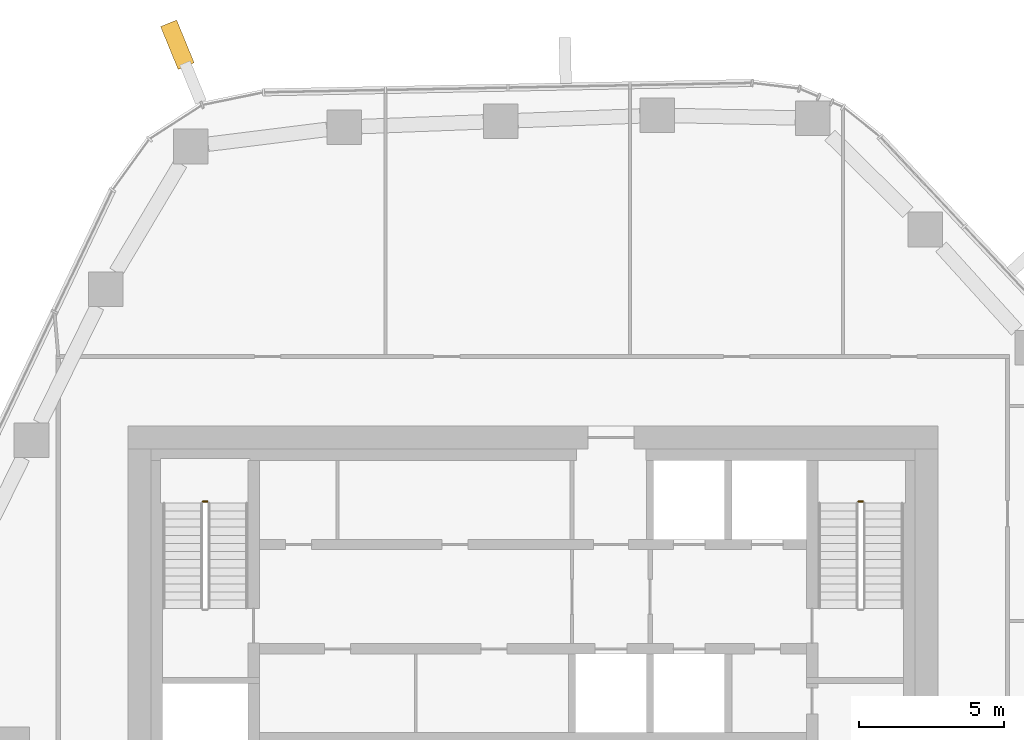
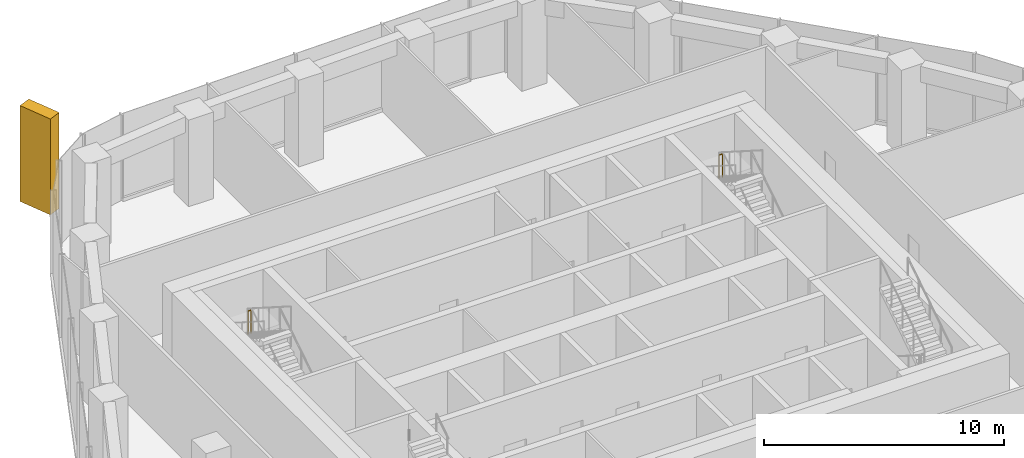
# One storey, part 16 of 16: 2 railings, 1 covering, 1 element without a shape of its own.
"""IFC4 building model written with IfcOpenShell, lengths in metres."""

from ifc_helpers import new_model, si_unit, direction, frame, origin, origin_2d, place, context, subcontext, project, spatial, rectangle, circle, extrude, material, layer, layer_set, material_profile, profile_set, type_object, element, aggregate, save


model = new_model("IFC4")

# Units and contexts
model_context = context("Model", 3, precision=1e-05, world=origin(), true_north=direction((0.0, 1.0)))
body_context = subcontext(model_context, "Body", "Model", "MODEL_VIEW")
ifc_project = project(units=[si_unit("LENGTHUNIT", "METRE"), si_unit("AREAUNIT", "SQUARE_METRE"), si_unit("VOLUMEUNIT", "CUBIC_METRE"), si_unit("PLANEANGLEUNIT", "RADIAN"), si_unit("MASSUNIT", "GRAM", prefix="KILO")], contexts=[model_context])

# Site, building, storey
site_placement = place(None, origin())
site = spatial("IfcSite", under=ifc_project, at=site_placement, CompositionType="ELEMENT")
building_placement = place(site_placement, origin())
building = spatial("IfcBuilding", under=site, at=building_placement, Name="Dongbaek Canopy Tower", CompositionType="ELEMENT")
storey_placement = place(building_placement, frame((0.0, 0.0, 215.60009765625)))
storey = spatial("IfcBuildingStorey", under=building, at=storey_placement, Name="L45", CompositionType="ELEMENT", Elevation=215.60009765625)

# Curtain wall, covering
ifc_material_1 = material(Name="Aluminium 6063-T6 pale anodised", Category="aluminium")
ifc_layer = layer(ifc_material_1, 0.25)
ifc_layer_set = layer_set([ifc_layer], Name="CW-4 sky-lobby curtain wall")
curtain_wall_type = type_object("IfcCurtainWallType", Name="CW-4 sky-lobby curtain wall", PredefinedType="NOTDEFINED", material=ifc_layer_set)
curtain_wall_placement = place(storey_placement, origin())
curtain_wall = element("IfcCurtainWall", 1, at=curtain_wall_placement, inside=storey, type_object=curtain_wall_type, Name="CW-4 curtain wall K2.1", PredefinedType="NOTDEFINED")
ifc_material_2 = material(Name="Aluminium 6063-T6 pale metal fin", Category="aluminium")
ifc_material_profile = material_profile(ifc_material_2, rectangle(XDim=1.60009765625, YDim=0.60009765625, at=origin_2d()), Name="Corner fin CN1 600 x 1600 pale metal")
ifc_profile_set = profile_set([ifc_material_profile], Name="Aluminium 6063-T6 pale metal fin")
covering_type = type_object("IfcCoveringType", Name="Corner fin CN1 600 x 1600 pale metal", PredefinedType="CLADDING", material=ifc_profile_set)
covering_placement = place(storey_placement, frame((-12.286376953125, 24.17431640625, -0.190185546875), z_axis=(0.0, 0.0, 1.0), x_axis=(-0.378811764133, 0.92547374212, 0.0)))
covering = element("IfcCovering", 2, at=covering_placement, type_object=covering_type, Name="Corner fin L45 L45 K2", PredefinedType="CLADDING", context=body_context, shape_type="SweptSolid", body=[
    extrude(rectangle(XDim=1.60009765625, YDim=0.60009765625, at=origin_2d()), origin(), (0.0, 0.0, 1.0), 4.8701171875),
])
aggregate(curtain_wall, [covering])

# Railings
ifc_material_3 = material(Name="Stainless steel tube and balusters", Category="steel")
railing_type = type_object("IfcRailingType", Name="Stair guard 1200", PredefinedType="GUARDRAIL", material=ifc_material_3)
for number, where, name in (
    (3, (11.39990234375, 8.389892578125, 2.5), "L45 ST-A stair guard 2"),
    (4, (-11.25, 8.389892578125, 2.5), "L45 ST-C stair guard 2"),
):
    element("IfcRailing", number, at=place(storey_placement, frame(where)), inside=storey, type_object=railing_type, Name=name, PredefinedType="GUARDRAIL", context=body_context, shape_type="SweptSolid", body=[
        extrude(circle(Radius=0.02392578125, at=origin_2d()), frame((0.0, 0.0, 1.17578125), z_axis=(-1.0, 0.0, 0.0), x_axis=(0.0, -1.0, 0.0)), (0.0, 0.0, 1.0), 0.14990234375),
        extrude(circle(Radius=0.02099609375, at=origin_2d()), origin(), (0.0, 0.0, 1.0), 1.15185546875),
        extrude(circle(Radius=0.02099609375, at=origin_2d()), frame((-0.14990234375, 0.0, 0.0)), (0.0, 0.0, 1.0), 1.15185546875),
    ])

save(model, "model.ifc")
